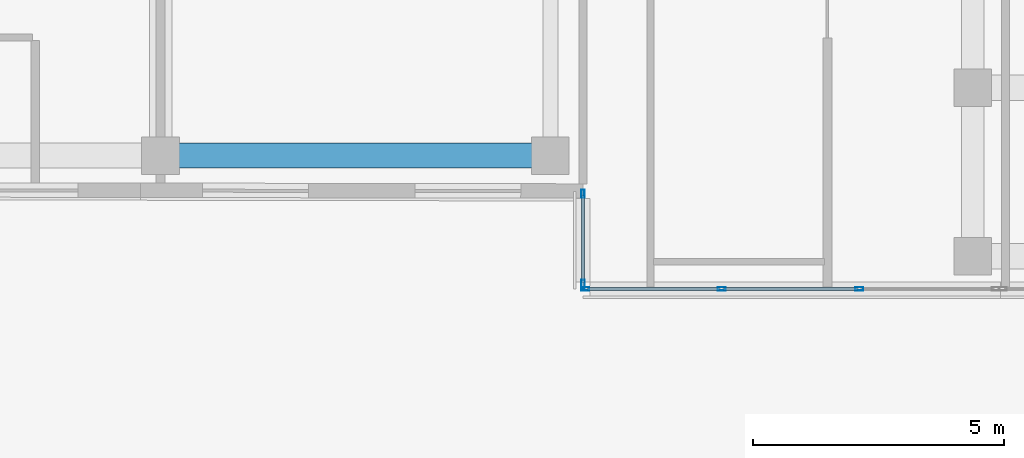
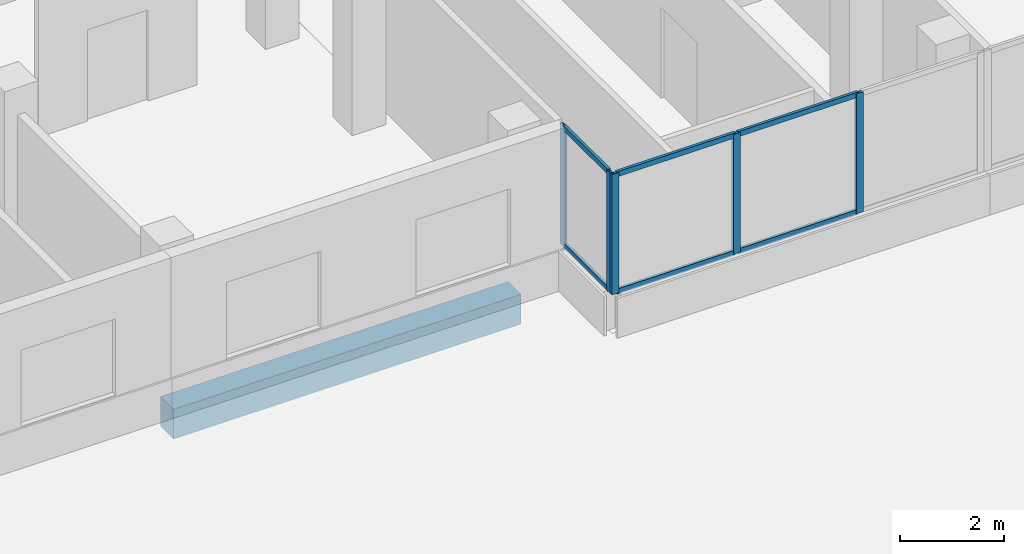
# One storey, part 55 of 101: 11 members, 1 beam, 2 elements without a shape of their own.
"""IFC4 building model written with IfcOpenShell, lengths in metres."""

from ifc_helpers import new_model, si_unit, direction, frame, origin, origin_2d, place, context, subcontext, project, spatial, rectangle, hollow_rectangle, extrude, material, material_profile, profile_set, type_object, element, aggregate, save


model = new_model("IFC4")

# Units and contexts
model_context = context("Model", 3, precision=1e-05, world=origin(), true_north=direction((0.0, 1.0)))
body_context = subcontext(model_context, "Body", "Model", "MODEL_VIEW")
ifc_project = project(units=[si_unit("LENGTHUNIT", "METRE"), si_unit("AREAUNIT", "SQUARE_METRE"), si_unit("VOLUMEUNIT", "CUBIC_METRE"), si_unit("PLANEANGLEUNIT", "RADIAN"), si_unit("MASSUNIT", "GRAM", prefix="KILO")], contexts=[model_context])

# Site, building, storey
site_placement = place(None, origin())
site = spatial("IfcSite", under=ifc_project, at=site_placement, CompositionType="ELEMENT")
building_placement = place(site_placement, origin())
building = spatial("IfcBuilding", under=site, at=building_placement, Name="Selatvlak General Hospital", CompositionType="ELEMENT")
storey_placement = place(building_placement, frame((0.0, 0.0, 19.199951171875)))
storey = spatial("IfcBuildingStorey", under=building, at=storey_placement, Name="L04", CompositionType="ELEMENT", Elevation=19.199951171875)

# Beam
ifc_material_1 = material(Name="Concrete C40/50", Category="concrete")
ifc_material_profile_1 = material_profile(ifc_material_1, rectangle(XDim=0.5, YDim=0.699951171875, at=origin_2d()), Name="RC-BM 500x700")
ifc_profile_set_1 = profile_set([ifc_material_profile_1], Name="Concrete C40/50")
beam_type = type_object("IfcBeamType", Name="BM-G03", PredefinedType="BEAM", material=ifc_profile_set_1)
beam_placement = place(storey_placement, frame((140.39990234375, 66.64990234375, -0.655029296875), z_axis=(1.0, 0.0, 0.0), x_axis=(0.0, 1.0, 0.0)))
element("IfcBeam", 1, at=beam_placement, inside=storey, type_object=beam_type, Name="Beam BMR-L04-1512", PredefinedType="BEAM", context=body_context, shape_type="SweptSolid", body=[
    extrude(rectangle(XDim=0.5, YDim=0.699951171875, at=origin_2d()), origin(), (0.0, 0.0, 1.0), 7.75),
])

# Curtain wall, members
ifc_material_2 = material(Name="Solar-control Low-E double glazing", Category="glass")
curtain_wall_type_1 = type_object("IfcCurtainWallType", Name="CW-CW-01", PredefinedType="USERDEFINED", material=ifc_material_2)
curtain_wall_1_placement = place(storey_placement, origin())
curtain_wall_1 = element("IfcCurtainWall", 2, at=curtain_wall_1_placement, inside=storey, type_object=curtain_wall_type_1, Name="Glazed facade curtain wall CW-L04-0509", ObjectType="UNITISED CURTAIN WALL", PredefinedType="USERDEFINED")
ifc_material_3 = material(Name="Dark anodised aluminium mullion", Category="aluminium")
ifc_material_profile_2 = material_profile(ifc_material_3, hollow_rectangle(XDim=0.06494140625, YDim=0.159912109375, WallThickness=0.00390625, at=origin_2d()), Name="AL-MUL 65x160x4")
ifc_profile_set_2 = profile_set([ifc_material_profile_2], Name="Dark anodised aluminium mullion")
member_type_1 = type_object("IfcMemberType", Name="CWM-01", PredefinedType="MULLION", material=ifc_profile_set_2)
member_1_placement = place(storey_placement, frame((154.2958984375, 64.0, 0.93994140625), z_axis=(0.0, 0.0, 1.0), x_axis=(0.0, -1.0, 0.0)))
member_1 = element("IfcMember", 3, at=member_1_placement, type_object=member_type_1, Name="CW-01 mullion 2", PredefinedType="MULLION", context=body_context, shape_type="SweptSolid", body=[
    extrude(hollow_rectangle(XDim=0.06494140625, YDim=0.159912109375, WallThickness=0.00390625, at=origin_2d()), origin(), (0.0, 0.0, 1.0), 2.830078125),
])
member_2_placement = place(storey_placement, frame((151.555908203125, 64.0, 0.93994140625), z_axis=(0.0, 0.0, 1.0), x_axis=(0.0, -1.0, 0.0)))
member_2 = element("IfcMember", 4, at=member_2_placement, type_object=member_type_1, Name="CW-01 mullion 3", PredefinedType="MULLION", context=body_context, shape_type="SweptSolid", body=[
    extrude(hollow_rectangle(XDim=0.06494140625, YDim=0.159912109375, WallThickness=0.00390625, at=origin_2d()), origin(), (0.0, 0.0, 1.0), 2.830078125),
])
member_3_placement = place(storey_placement, frame((148.848388671875, 64.0, 0.93994140625), z_axis=(0.0, 0.0, 1.0), x_axis=(0.0, -1.0, 0.0)))
member_3 = element("IfcMember", 5, at=member_3_placement, type_object=member_type_1, Name="CW-01 mullion 4", PredefinedType="MULLION", context=body_context, shape_type="SweptSolid", body=[
    extrude(hollow_rectangle(XDim=0.06494140625, YDim=0.159912109375, WallThickness=0.00390625, at=origin_2d()), origin(), (0.0, 0.0, 1.0), 2.830078125),
])

curtain_wall_type_2 = type_object("IfcCurtainWallType", Name="CW-CW-02", PredefinedType="USERDEFINED", material=ifc_material_2)
curtain_wall_2_placement = place(storey_placement, origin())
curtain_wall_2 = element("IfcCurtainWall", 6, at=curtain_wall_2_placement, inside=storey, type_object=curtain_wall_type_2, Name="Glazed facade curtain wall CW-L04-0510", ObjectType="UNITISED CURTAIN WALL", PredefinedType="USERDEFINED")
member_4_placement = place(storey_placement, frame((148.801025390625, 64.097412109375, 0.93994140625), z_axis=(0.0, 0.0, 1.0), x_axis=(-0.999999855475, -0.000537634338, 0.0)))
member_4 = element("IfcMember", 7, at=member_4_placement, type_object=member_type_1, Name="CW-02 mullion 1", PredefinedType="MULLION", context=body_context, shape_type="SweptSolid", body=[
    extrude(hollow_rectangle(XDim=0.06494140625, YDim=0.159912109375, WallThickness=0.00390625, at=origin_2d()), origin(), (0.0, 0.0, 1.0), 2.830078125),
])
member_5_placement = place(storey_placement, frame((148.800048828125, 65.892578125, 0.93994140625), z_axis=(0.0, 0.0, 1.0), x_axis=(-0.999999855475, -0.000537634338, 0.0)))
member_5 = element("IfcMember", 8, at=member_5_placement, type_object=member_type_1, Name="CW-02 mullion 2", PredefinedType="MULLION", context=body_context, shape_type="SweptSolid", body=[
    extrude(hollow_rectangle(XDim=0.06494140625, YDim=0.159912109375, WallThickness=0.00390625, at=origin_2d()), origin(), (0.0, 0.0, 1.0), 2.830078125),
])

# Member
ifc_material_profile_3 = material_profile(ifc_material_3, hollow_rectangle(XDim=0.06494140625, YDim=0.1201171875, WallThickness=0.00390625, at=origin_2d()), Name="AL-TRN 65x120x4")
ifc_profile_set_3 = profile_set([ifc_material_profile_3], Name="Dark anodised aluminium mullion")
member_type_2 = type_object("IfcMemberType", Name="CWT-01", PredefinedType="USERDEFINED", material=ifc_profile_set_3)
member_6_placement = place(storey_placement, frame((154.263427734375, 64.0, 0.97265625), z_axis=(-1.0, 0.0, 0.0), x_axis=(0.0, -1.0, 0.0)))
member_6 = element("IfcMember", 9, at=member_6_placement, type_object=member_type_2, Name="CW-01 transom 2.1", ObjectType="TRANSOM", PredefinedType="USERDEFINED", context=body_context, shape_type="SweptSolid", body=[
    extrude(hollow_rectangle(XDim=0.06494140625, YDim=0.1201171875, WallThickness=0.00390625, at=origin_2d()), origin(), (0.0, 0.0, 1.0), 2.675048828125),
])

member_7_placement = place(storey_placement, frame((154.263427734375, 64.0, 3.737548828125), z_axis=(-1.0, 0.0, 0.0), x_axis=(0.0, -1.0, 0.0)))
member_7 = element("IfcMember", 10, at=member_7_placement, type_object=member_type_2, Name="CW-01 transom 2.2", ObjectType="TRANSOM", PredefinedType="USERDEFINED", context=body_context, shape_type="SweptSolid", body=[
    extrude(hollow_rectangle(XDim=0.06494140625, YDim=0.1201171875, WallThickness=0.00390625, at=origin_2d()), origin(), (0.0, 0.0, 1.0), 2.675048828125),
])

member_8_placement = place(storey_placement, frame((151.5234375, 64.0, 0.97265625), z_axis=(-1.0, 0.0, 0.0), x_axis=(0.0, -1.0, 0.0)))
member_8 = element("IfcMember", 11, at=member_8_placement, type_object=member_type_2, Name="CW-01 transom 3.1", ObjectType="TRANSOM", PredefinedType="USERDEFINED", context=body_context, shape_type="SweptSolid", body=[
    extrude(hollow_rectangle(XDim=0.06494140625, YDim=0.1201171875, WallThickness=0.00390625, at=origin_2d()), origin(), (0.0, 0.0, 1.0), 2.642333984375),
])

member_9_placement = place(storey_placement, frame((151.5234375, 64.0, 3.737548828125), z_axis=(-1.0, 0.0, 0.0), x_axis=(0.0, -1.0, 0.0)))
member_9 = element("IfcMember", 12, at=member_9_placement, type_object=member_type_2, Name="CW-01 transom 3.2", ObjectType="TRANSOM", PredefinedType="USERDEFINED", context=body_context, shape_type="SweptSolid", body=[
    extrude(hollow_rectangle(XDim=0.06494140625, YDim=0.1201171875, WallThickness=0.00390625, at=origin_2d()), origin(), (0.0, 0.0, 1.0), 2.642333984375),
])

aggregate(curtain_wall_1, [member_1, member_2, member_3, member_6, member_7, member_8, member_9])

member_10_placement = place(storey_placement, frame((148.801025390625, 64.1298828125, 0.97265625), z_axis=(-0.000564413625, 0.999999840719, 0.0), x_axis=(-0.999999840719, -0.000564413625, 0.0)))
member_10 = element("IfcMember", 13, at=member_10_placement, type_object=member_type_2, Name="CW-02 transom 1.1", ObjectType="TRANSOM", PredefinedType="USERDEFINED", context=body_context, shape_type="SweptSolid", body=[
    extrude(hollow_rectangle(XDim=0.06494140625, YDim=0.1201171875, WallThickness=0.00390625, at=origin_2d()), origin(), (0.0, 0.0, 1.0), 1.730224609375),
])

member_11_placement = place(storey_placement, frame((148.801025390625, 64.1298828125, 3.737548828125), z_axis=(-0.000564413625, 0.999999840719, 0.0), x_axis=(-0.999999840719, -0.000564413625, 0.0)))
member_11 = element("IfcMember", 14, at=member_11_placement, type_object=member_type_2, Name="CW-02 transom 1.2", ObjectType="TRANSOM", PredefinedType="USERDEFINED", context=body_context, shape_type="SweptSolid", body=[
    extrude(hollow_rectangle(XDim=0.06494140625, YDim=0.1201171875, WallThickness=0.00390625, at=origin_2d()), origin(), (0.0, 0.0, 1.0), 1.730224609375),
])

aggregate(curtain_wall_2, [member_4, member_5, member_10, member_11])

save(model, "model.ifc")
